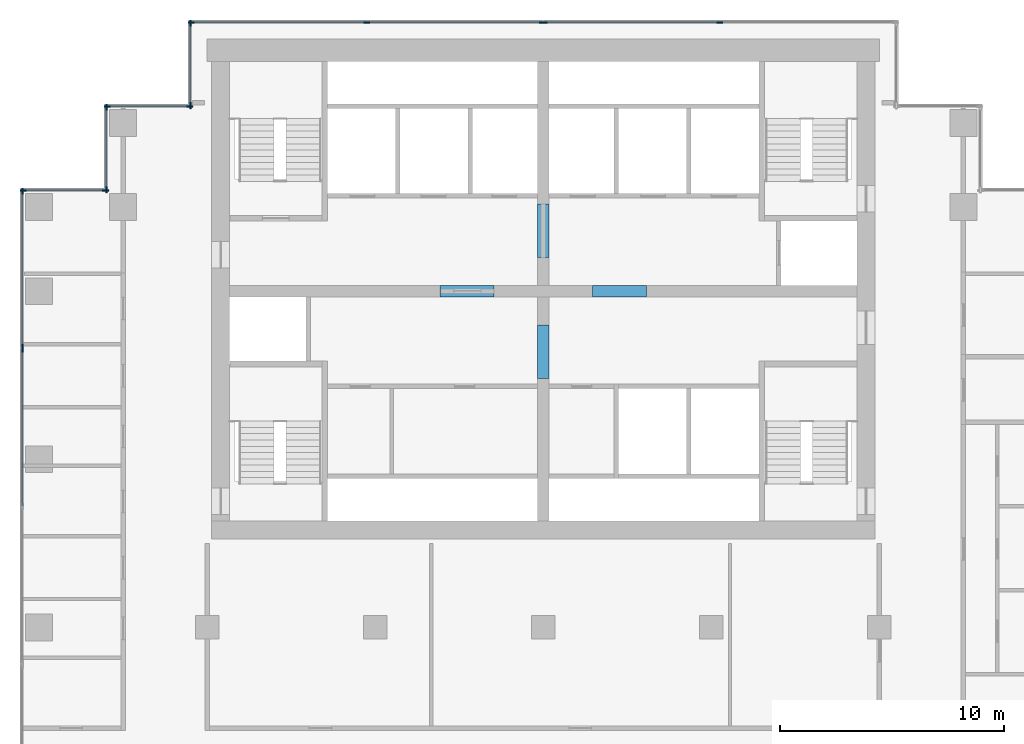
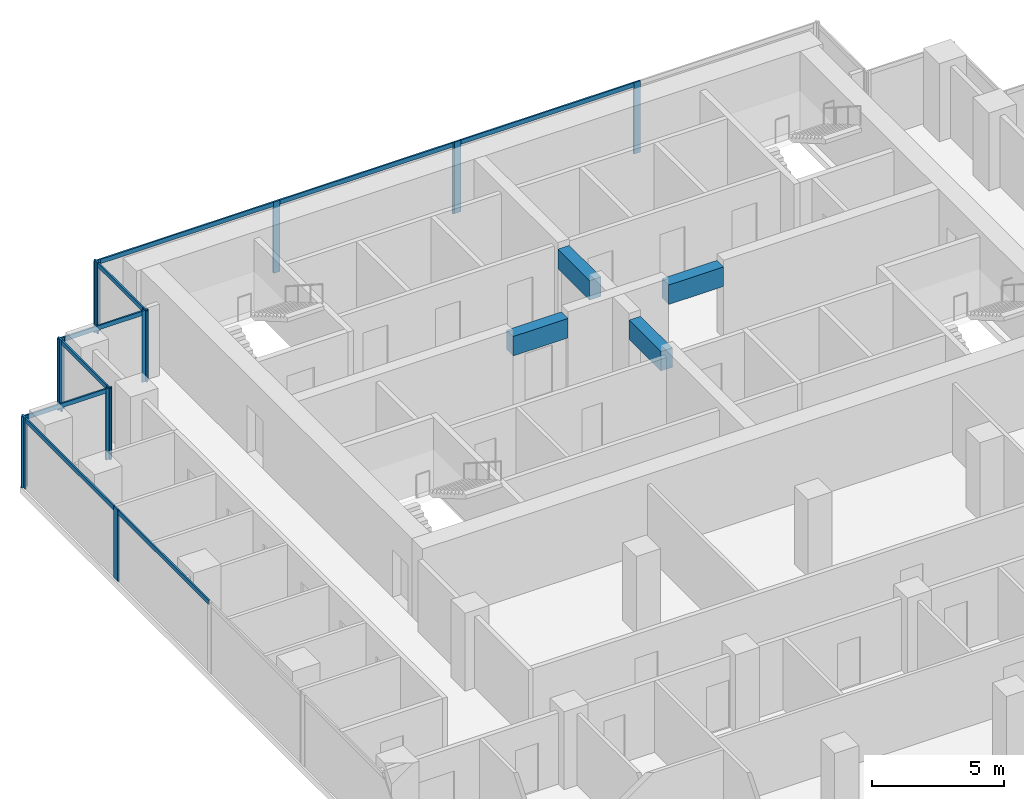
# One storey, part 4 of 10: 25 members, 4 beams, 8 elements without a shape of their own.
"""IFC4 building model written with IfcOpenShell, lengths in metres."""

from ifc_helpers import new_model, si_unit, direction, frame, origin, origin_2d, place, context, subcontext, project, spatial, rectangle, extrude, material, material_profile, profile_set, type_object, element, aggregate, save


model = new_model("IFC4")

# Units and contexts
model_context = context("Model", 3, precision=1e-05, world=origin(), true_north=direction((0.0, 1.0)))
body_context = subcontext(model_context, "Body", "Model", "MODEL_VIEW")
ifc_project = project(units=[si_unit("LENGTHUNIT", "METRE"), si_unit("AREAUNIT", "SQUARE_METRE"), si_unit("VOLUMEUNIT", "CUBIC_METRE"), si_unit("PLANEANGLEUNIT", "RADIAN"), si_unit("MASSUNIT", "GRAM", prefix="KILO")], contexts=[model_context])

# Site, building, storey
site_placement = place(None, origin())
site = spatial("IfcSite", under=ifc_project, at=site_placement, CompositionType="ELEMENT")
building_placement = place(site_placement, origin())
building = spatial("IfcBuilding", under=site, at=building_placement, Name="Pilkhan Gate Tower", CompositionType="ELEMENT")
storey_placement = place(building_placement, frame((0.0, 0.0, 147.699951171875)))
storey = spatial("IfcBuildingStorey", under=building, at=storey_placement, Name="L37", CompositionType="ELEMENT", Elevation=147.699951171875)

# Beams
ifc_material_1 = material(Name="Concrete C60/75", Category="concrete")
ifc_material_profile_1 = material_profile(ifc_material_1, rectangle(XDim=0.5, YDim=0.89990234375, at=origin_2d()), Name="RC 500x900")
ifc_profile_set_1 = profile_set([ifc_material_profile_1], Name="Concrete C60/75")
beam_type = type_object("IfcBeamType", Name="Coupling beam CB90 RC 500x900 C60/75", PredefinedType="LINTEL", material=ifc_profile_set_1)
for number, where, z_axis, x_axis, name in (
    (1, (70.39990234375, 82.5, 2.85009765625), (1.0, 0.0, 0.0), (0.0, 1.0, 0.0), "Coupling beam 1 L37"),
    (2, (77.199951171875, 82.5, 2.85009765625), (1.0, 0.0, 0.0), (0.0, 1.0, 0.0), "Coupling beam 2 L37"),
):
    element("IfcBeam", number, at=place(storey_placement, frame(where, z_axis=z_axis, x_axis=x_axis)), inside=storey, type_object=beam_type, Name=name, PredefinedType="LINTEL", context=body_context, shape_type="SweptSolid", body=[
        extrude(rectangle(XDim=0.5, YDim=0.89990234375, at=origin_2d()), origin(), (0.0, 0.0, 1.0), 2.400146484375),
    ])
for number, where, z_axis, x_axis, name in (
    (3, (75.0, 78.60009765625, 2.85009765625), (0.0, 1.0, 0.0), (-1.0, 0.0, 0.0), "Coupling beam 3 L37"),
    (4, (75.0, 84.0, 2.85009765625), (0.0, 1.0, 0.0), (-1.0, 0.0, 0.0), "Coupling beam 4 L37"),
):
    element("IfcBeam", number, at=place(storey_placement, frame(where, z_axis=z_axis, x_axis=x_axis)), inside=storey, type_object=beam_type, Name=name, PredefinedType="LINTEL", context=body_context, shape_type="SweptSolid", body=[
        extrude(rectangle(XDim=0.5, YDim=0.89990234375, at=origin_2d()), origin(), (0.0, 0.0, 1.0), 2.39990234375),
    ])

# Curtain wall, members
ifc_material_2 = material(Name="Pale anodised aluminium, clear low-iron double glazing", Category="aluminium")
curtain_wall_type = type_object("IfcCurtainWallType", Name="Office unitised curtain wall CW-O1", PredefinedType="USERDEFINED", material=ifc_material_2)
curtain_wall_1_placement = place(storey_placement, origin())
curtain_wall_1 = element("IfcCurtainWall", 5, at=curtain_wall_1_placement, inside=storey, type_object=curtain_wall_type, Name="Office unitised curtain wall CW-O1 L37 N", ObjectType="UNITISED CURTAIN WALL", PredefinedType="USERDEFINED")
ifc_material_3 = material(Name="Pale anodised aluminium", Category="aluminium")
ifc_material_profile_2 = material_profile(ifc_material_3, rectangle(XDim=0.070068359375, YDim=0.27490234375, at=origin_2d()), Name="Mullion 275x70")
ifc_profile_set_2 = profile_set([ifc_material_profile_2], Name="Pale anodised aluminium")
member_type_1 = type_object("IfcMemberType", Name="Mullion CW-O1 275x70", PredefinedType="MULLION", material=ifc_profile_set_2)
member_1_placement = place(storey_placement, frame((59.284912109375, 94.5, 0.0), z_axis=(0.0, 0.0, 1.0), x_axis=(0.0, 1.0, 0.0)))
member_1 = element("IfcMember", 6, at=member_1_placement, type_object=member_type_1, Name="CW-O1 mullion 1", PredefinedType="MULLION", context=body_context, shape_type="SweptSolid", body=[
    extrude(rectangle(XDim=0.070068359375, YDim=0.27490234375, at=origin_2d()), origin(), (0.0, 0.0, 1.0), 3.300048828125),
])
member_2_placement = place(storey_placement, frame((67.125, 94.5, 0.0), z_axis=(0.0, 0.0, 1.0), x_axis=(0.0, 1.0, 0.0)))
member_2 = element("IfcMember", 7, at=member_2_placement, type_object=member_type_1, Name="CW-O1 mullion 2", PredefinedType="MULLION", context=body_context, shape_type="SweptSolid", body=[
    extrude(rectangle(XDim=0.070068359375, YDim=0.27490234375, at=origin_2d()), origin(), (0.0, 0.0, 1.0), 3.300048828125),
])
member_3_placement = place(storey_placement, frame((74.965087890625, 94.5, 0.0), z_axis=(0.0, 0.0, 1.0), x_axis=(0.0, 1.0, 0.0)))
member_3 = element("IfcMember", 8, at=member_3_placement, type_object=member_type_1, Name="CW-O1 mullion 3", PredefinedType="MULLION", context=body_context, shape_type="SweptSolid", body=[
    extrude(rectangle(XDim=0.070068359375, YDim=0.27490234375, at=origin_2d()), origin(), (0.0, 0.0, 1.0), 3.300048828125),
])

curtain_wall_2_placement = place(storey_placement, origin())
curtain_wall_2 = element("IfcCurtainWall", 9, at=curtain_wall_2_placement, inside=storey, type_object=curtain_wall_type, Name="Office unitised curtain wall CW-O1 L37 N", ObjectType="UNITISED CURTAIN WALL", PredefinedType="USERDEFINED")
member_4_placement = place(storey_placement, frame((75.034912109375, 94.5, 0.0), z_axis=(0.0, 0.0, 1.0), x_axis=(0.0, 1.0, 0.0)))
member_4 = element("IfcMember", 10, at=member_4_placement, type_object=member_type_1, Name="CW-O1 mullion 1", PredefinedType="MULLION", context=body_context, shape_type="SweptSolid", body=[
    extrude(rectangle(XDim=0.070068359375, YDim=0.27490234375, at=origin_2d()), origin(), (0.0, 0.0, 1.0), 3.300048828125),
])
member_5_placement = place(storey_placement, frame((82.875, 94.5, 0.0), z_axis=(0.0, 0.0, 1.0), x_axis=(0.0, 1.0, 0.0)))
member_5 = element("IfcMember", 11, at=member_5_placement, type_object=member_type_1, Name="CW-O1 mullion 2", PredefinedType="MULLION", context=body_context, shape_type="SweptSolid", body=[
    extrude(rectangle(XDim=0.070068359375, YDim=0.27490234375, at=origin_2d()), origin(), (0.0, 0.0, 1.0), 3.300048828125),
])

curtain_wall_3_placement = place(storey_placement, origin())
curtain_wall_3 = element("IfcCurtainWall", 12, at=curtain_wall_3_placement, inside=storey, type_object=curtain_wall_type, Name="Office unitised curtain wall CW-O1 L37 W", ObjectType="UNITISED CURTAIN WALL", PredefinedType="USERDEFINED")
member_6_placement = place(storey_placement, frame((59.25, 90.784912109375, 0.0), z_axis=(0.0, 0.0, 1.0), x_axis=(-1.0, 0.0, 0.0)))
member_6 = element("IfcMember", 13, at=member_6_placement, type_object=member_type_1, Name="CW-O1 mullion 1", PredefinedType="MULLION", context=body_context, shape_type="SweptSolid", body=[
    extrude(rectangle(XDim=0.070068359375, YDim=0.27490234375, at=origin_2d()), origin(), (0.0, 0.0, 1.0), 3.300048828125),
])
member_7_placement = place(storey_placement, frame((59.25, 94.465087890625, 0.0), z_axis=(0.0, 0.0, 1.0), x_axis=(-1.0, 0.0, 0.0)))
member_7 = element("IfcMember", 14, at=member_7_placement, type_object=member_type_1, Name="CW-O1 mullion 2", PredefinedType="MULLION", context=body_context, shape_type="SweptSolid", body=[
    extrude(rectangle(XDim=0.070068359375, YDim=0.27490234375, at=origin_2d()), origin(), (0.0, 0.0, 1.0), 3.300048828125),
])

curtain_wall_4_placement = place(storey_placement, origin())
curtain_wall_4 = element("IfcCurtainWall", 15, at=curtain_wall_4_placement, inside=storey, type_object=curtain_wall_type, Name="Office unitised curtain wall CW-O1 L37 N", ObjectType="UNITISED CURTAIN WALL", PredefinedType="USERDEFINED")
member_8_placement = place(storey_placement, frame((55.534912109375, 90.75, 0.0), z_axis=(0.0, 0.0, 1.0), x_axis=(0.0, 1.0, 0.0)))
member_8 = element("IfcMember", 16, at=member_8_placement, type_object=member_type_1, Name="CW-O1 mullion 1", PredefinedType="MULLION", context=body_context, shape_type="SweptSolid", body=[
    extrude(rectangle(XDim=0.070068359375, YDim=0.27490234375, at=origin_2d()), origin(), (0.0, 0.0, 1.0), 3.300048828125),
])
member_9_placement = place(storey_placement, frame((59.215087890625, 90.75, 0.0), z_axis=(0.0, 0.0, 1.0), x_axis=(0.0, 1.0, 0.0)))
member_9 = element("IfcMember", 17, at=member_9_placement, type_object=member_type_1, Name="CW-O1 mullion 2", PredefinedType="MULLION", context=body_context, shape_type="SweptSolid", body=[
    extrude(rectangle(XDim=0.070068359375, YDim=0.27490234375, at=origin_2d()), origin(), (0.0, 0.0, 1.0), 3.300048828125),
])

curtain_wall_5_placement = place(storey_placement, origin())
curtain_wall_5 = element("IfcCurtainWall", 18, at=curtain_wall_5_placement, inside=storey, type_object=curtain_wall_type, Name="Office unitised curtain wall CW-O1 L37 W", ObjectType="UNITISED CURTAIN WALL", PredefinedType="USERDEFINED")
member_10_placement = place(storey_placement, frame((55.5, 87.034912109375, 0.0), z_axis=(0.0, 0.0, 1.0), x_axis=(-1.0, 0.0, 0.0)))
member_10 = element("IfcMember", 19, at=member_10_placement, type_object=member_type_1, Name="CW-O1 mullion 1", PredefinedType="MULLION", context=body_context, shape_type="SweptSolid", body=[
    extrude(rectangle(XDim=0.070068359375, YDim=0.27490234375, at=origin_2d()), origin(), (0.0, 0.0, 1.0), 3.300048828125),
])
member_11_placement = place(storey_placement, frame((55.5, 90.715087890625, 0.0), z_axis=(0.0, 0.0, 1.0), x_axis=(-1.0, 0.0, 0.0)))
member_11 = element("IfcMember", 20, at=member_11_placement, type_object=member_type_1, Name="CW-O1 mullion 2", PredefinedType="MULLION", context=body_context, shape_type="SweptSolid", body=[
    extrude(rectangle(XDim=0.070068359375, YDim=0.27490234375, at=origin_2d()), origin(), (0.0, 0.0, 1.0), 3.300048828125),
])

curtain_wall_6_placement = place(storey_placement, origin())
curtain_wall_6 = element("IfcCurtainWall", 21, at=curtain_wall_6_placement, inside=storey, type_object=curtain_wall_type, Name="Office unitised curtain wall CW-O1 L37 N", ObjectType="UNITISED CURTAIN WALL", PredefinedType="USERDEFINED")
member_12_placement = place(storey_placement, frame((51.784912109375, 87.0, 0.0), z_axis=(0.0, 0.0, 1.0), x_axis=(0.0, 1.0, 0.0)))
member_12 = element("IfcMember", 22, at=member_12_placement, type_object=member_type_1, Name="CW-O1 mullion 1", PredefinedType="MULLION", context=body_context, shape_type="SweptSolid", body=[
    extrude(rectangle(XDim=0.070068359375, YDim=0.27490234375, at=origin_2d()), origin(), (0.0, 0.0, 1.0), 3.300048828125),
])
member_13_placement = place(storey_placement, frame((55.465087890625, 87.0, 0.0), z_axis=(0.0, 0.0, 1.0), x_axis=(0.0, 1.0, 0.0)))
member_13 = element("IfcMember", 23, at=member_13_placement, type_object=member_type_1, Name="CW-O1 mullion 2", PredefinedType="MULLION", context=body_context, shape_type="SweptSolid", body=[
    extrude(rectangle(XDim=0.070068359375, YDim=0.27490234375, at=origin_2d()), origin(), (0.0, 0.0, 1.0), 3.300048828125),
])

# Curtain wall, member
curtain_wall_7_placement = place(storey_placement, origin())
curtain_wall_7 = element("IfcCurtainWall", 24, at=curtain_wall_7_placement, inside=storey, type_object=curtain_wall_type, Name="Office unitised curtain wall CW-O1 L37 W", ObjectType="UNITISED CURTAIN WALL", PredefinedType="USERDEFINED")
member_14_placement = place(storey_placement, frame((51.75, 79.9150390625, 0.0), z_axis=(0.0, 0.0, 1.0), x_axis=(-1.0, 0.0, 0.0)))
member_14 = element("IfcMember", 25, at=member_14_placement, type_object=member_type_1, Name="CW-O1 mullion 3", PredefinedType="MULLION", context=body_context, shape_type="SweptSolid", body=[
    extrude(rectangle(XDim=0.070068359375, YDim=0.27490234375, at=origin_2d()), origin(), (0.0, 0.0, 1.0), 3.300048828125),
])

# Curtain wall, members
curtain_wall_8_placement = place(storey_placement, origin())
curtain_wall_8 = element("IfcCurtainWall", 26, at=curtain_wall_8_placement, inside=storey, type_object=curtain_wall_type, Name="Office unitised curtain wall CW-O1 L37 W", ObjectType="UNITISED CURTAIN WALL", PredefinedType="USERDEFINED")
member_15_placement = place(storey_placement, frame((51.75, 79.985107421875, 0.0), z_axis=(0.0, 0.0, 1.0), x_axis=(-1.0, 0.0, 0.0)))
member_15 = element("IfcMember", 27, at=member_15_placement, type_object=member_type_1, Name="CW-O1 mullion 1", PredefinedType="MULLION", context=body_context, shape_type="SweptSolid", body=[
    extrude(rectangle(XDim=0.070068359375, YDim=0.27490234375, at=origin_2d()), origin(), (0.0, 0.0, 1.0), 3.300048828125),
])
member_16_placement = place(storey_placement, frame((51.75, 86.965087890625, 0.0), z_axis=(0.0, 0.0, 1.0), x_axis=(-1.0, 0.0, 0.0)))
member_16 = element("IfcMember", 28, at=member_16_placement, type_object=member_type_1, Name="CW-O1 mullion 2", PredefinedType="MULLION", context=body_context, shape_type="SweptSolid", body=[
    extrude(rectangle(XDim=0.070068359375, YDim=0.27490234375, at=origin_2d()), origin(), (0.0, 0.0, 1.0), 3.300048828125),
])

# Member
ifc_material_profile_3 = material_profile(ifc_material_3, rectangle(XDim=0.070068359375, YDim=0.199951171875, at=origin_2d()), Name="Transom 200x70")
ifc_profile_set_3 = profile_set([ifc_material_profile_3], Name="Pale anodised aluminium")
member_type_2 = type_object("IfcMemberType", Name="Transom CW-O1 200x70", PredefinedType="USERDEFINED", material=ifc_profile_set_3)
member_17_placement = place(storey_placement, frame((59.320068359375, 94.5, 3.199951171875), z_axis=(1.0, 0.0, 0.0), x_axis=(0.0, 1.0, 0.0)))
member_17 = element("IfcMember", 29, at=member_17_placement, type_object=member_type_2, Name="CW-O1 transom 1", ObjectType="TRANSOM", PredefinedType="USERDEFINED", context=body_context, shape_type="SweptSolid", body=[
    extrude(rectangle(XDim=0.070068359375, YDim=0.199951171875, at=origin_2d()), origin(), (0.0, 0.0, 1.0), 7.77001953125),
])

member_18_placement = place(storey_placement, frame((67.159912109375, 94.5, 3.199951171875), z_axis=(1.0, 0.0, 0.0), x_axis=(0.0, 1.0, 0.0)))
member_18 = element("IfcMember", 30, at=member_18_placement, type_object=member_type_2, Name="CW-O1 transom 2", ObjectType="TRANSOM", PredefinedType="USERDEFINED", context=body_context, shape_type="SweptSolid", body=[
    extrude(rectangle(XDim=0.070068359375, YDim=0.199951171875, at=origin_2d()), origin(), (0.0, 0.0, 1.0), 7.77001953125),
])

aggregate(curtain_wall_1, [member_1, member_2, member_3, member_17, member_18])

member_19_placement = place(storey_placement, frame((75.070068359375, 94.5, 3.199951171875), z_axis=(1.0, 0.0, 0.0), x_axis=(0.0, 1.0, 0.0)))
member_19 = element("IfcMember", 31, at=member_19_placement, type_object=member_type_2, Name="CW-O1 transom 1", ObjectType="TRANSOM", PredefinedType="USERDEFINED", context=body_context, shape_type="SweptSolid", body=[
    extrude(rectangle(XDim=0.070068359375, YDim=0.199951171875, at=origin_2d()), origin(), (0.0, 0.0, 1.0), 7.77001953125),
])

aggregate(curtain_wall_2, [member_4, member_5, member_19])

member_20_placement = place(storey_placement, frame((59.25, 90.820068359375, 3.199951171875), z_axis=(0.0, 1.0, 0.0), x_axis=(-1.0, 0.0, 0.0)))
member_20 = element("IfcMember", 32, at=member_20_placement, type_object=member_type_2, Name="CW-O1 transom 1", ObjectType="TRANSOM", PredefinedType="USERDEFINED", context=body_context, shape_type="SweptSolid", body=[
    extrude(rectangle(XDim=0.070068359375, YDim=0.199951171875, at=origin_2d()), origin(), (0.0, 0.0, 1.0), 3.60986328125),
])

aggregate(curtain_wall_3, [member_6, member_7, member_20])

member_21_placement = place(storey_placement, frame((55.570068359375, 90.75, 3.199951171875), z_axis=(1.0, 0.0, 0.0), x_axis=(0.0, 1.0, 0.0)))
member_21 = element("IfcMember", 33, at=member_21_placement, type_object=member_type_2, Name="CW-O1 transom 1", ObjectType="TRANSOM", PredefinedType="USERDEFINED", context=body_context, shape_type="SweptSolid", body=[
    extrude(rectangle(XDim=0.070068359375, YDim=0.199951171875, at=origin_2d()), origin(), (0.0, 0.0, 1.0), 3.60986328125),
])

aggregate(curtain_wall_4, [member_8, member_9, member_21])

member_22_placement = place(storey_placement, frame((55.5, 87.070068359375, 3.199951171875), z_axis=(0.0, 1.0, 0.0), x_axis=(-1.0, 0.0, 0.0)))
member_22 = element("IfcMember", 34, at=member_22_placement, type_object=member_type_2, Name="CW-O1 transom 1", ObjectType="TRANSOM", PredefinedType="USERDEFINED", context=body_context, shape_type="SweptSolid", body=[
    extrude(rectangle(XDim=0.070068359375, YDim=0.199951171875, at=origin_2d()), origin(), (0.0, 0.0, 1.0), 3.60986328125),
])

aggregate(curtain_wall_5, [member_10, member_11, member_22])

member_23_placement = place(storey_placement, frame((51.820068359375, 87.0, 3.199951171875), z_axis=(1.0, 0.0, 0.0), x_axis=(0.0, 1.0, 0.0)))
member_23 = element("IfcMember", 35, at=member_23_placement, type_object=member_type_2, Name="CW-O1 transom 1", ObjectType="TRANSOM", PredefinedType="USERDEFINED", context=body_context, shape_type="SweptSolid", body=[
    extrude(rectangle(XDim=0.070068359375, YDim=0.199951171875, at=origin_2d()), origin(), (0.0, 0.0, 1.0), 3.60986328125),
])

aggregate(curtain_wall_6, [member_12, member_13, member_23])

member_24_placement = place(storey_placement, frame((51.75, 72.93505859375, 3.199951171875), z_axis=(0.0, 1.0, 0.0), x_axis=(-1.0, 0.0, 0.0)))
member_24 = element("IfcMember", 36, at=member_24_placement, type_object=member_type_2, Name="CW-O1 transom 2", ObjectType="TRANSOM", PredefinedType="USERDEFINED", context=body_context, shape_type="SweptSolid", body=[
    extrude(rectangle(XDim=0.070068359375, YDim=0.199951171875, at=origin_2d()), origin(), (0.0, 0.0, 1.0), 6.94482421875),
])

aggregate(curtain_wall_7, [member_14, member_24])

member_25_placement = place(storey_placement, frame((51.75, 80.02001953125, 3.199951171875), z_axis=(0.0, 1.0, 0.0), x_axis=(-1.0, 0.0, 0.0)))
member_25 = element("IfcMember", 37, at=member_25_placement, type_object=member_type_2, Name="CW-O1 transom 1", ObjectType="TRANSOM", PredefinedType="USERDEFINED", context=body_context, shape_type="SweptSolid", body=[
    extrude(rectangle(XDim=0.070068359375, YDim=0.199951171875, at=origin_2d()), origin(), (0.0, 0.0, 1.0), 6.909912109375),
])

aggregate(curtain_wall_8, [member_15, member_16, member_25])

save(model, "model.ifc")
